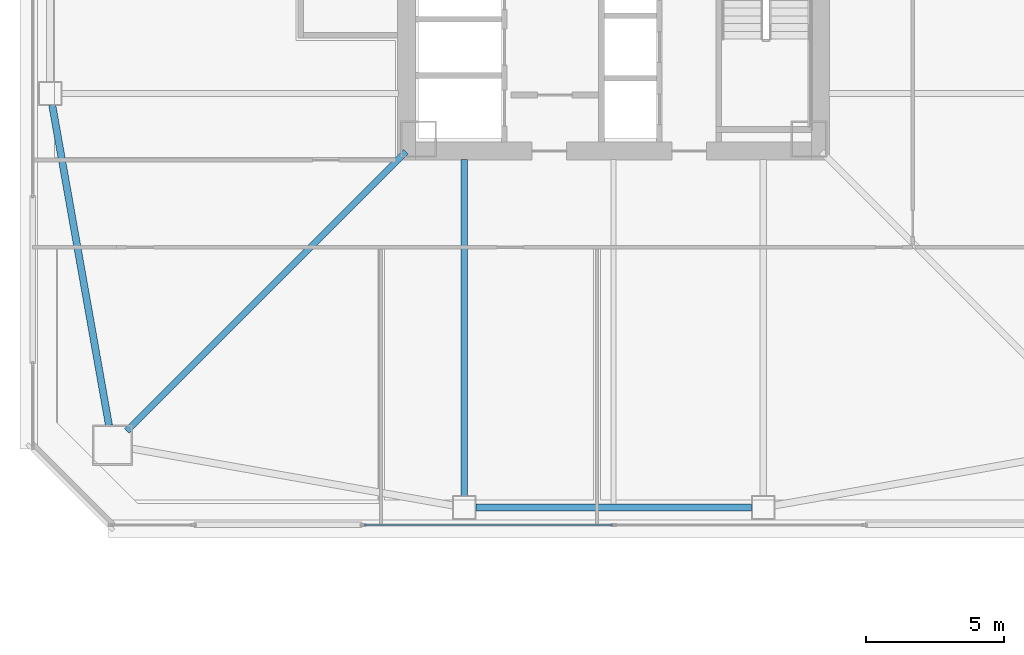
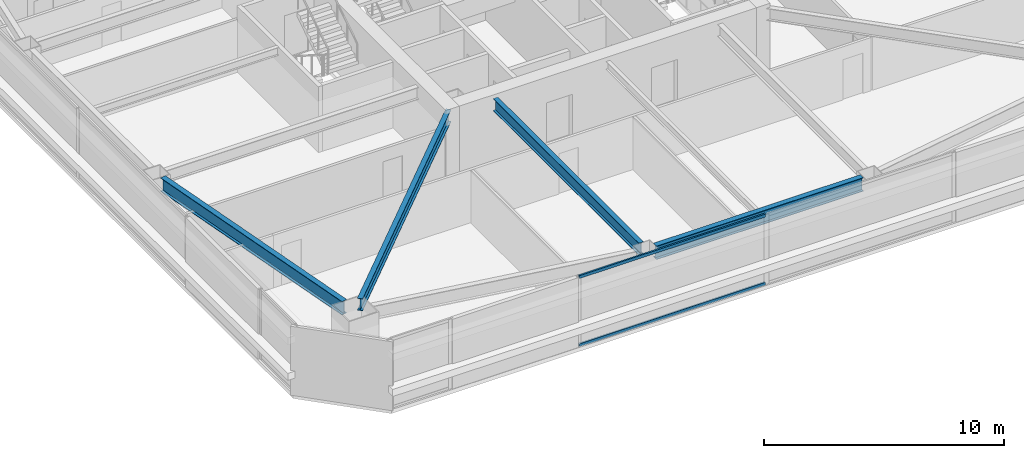
# One storey, part 4 of 48: 4 beams, 2 members, 1 element without a shape of its own.
"""IFC4 building model written with IfcOpenShell, lengths in metres."""

from ifc_helpers import new_model, si_unit, direction, frame, origin, origin_2d, place, context, subcontext, project, spatial, hollow_rectangle, i_section, extrude, material, material_profile, profile_set, type_object, element, aggregate, save


model = new_model("IFC4")

# Units and contexts
model_context = context("Model", 3, precision=1e-05, world=origin(), true_north=direction((0.0, 1.0)))
body_context = subcontext(model_context, "Body", "Model", "MODEL_VIEW")
ifc_project = project(units=[si_unit("LENGTHUNIT", "METRE"), si_unit("AREAUNIT", "SQUARE_METRE"), si_unit("VOLUMEUNIT", "CUBIC_METRE"), si_unit("PLANEANGLEUNIT", "RADIAN"), si_unit("MASSUNIT", "GRAM", prefix="KILO")], contexts=[model_context])

# Site, building, storey
site_placement = place(None, origin())
site = spatial("IfcSite", under=ifc_project, at=site_placement, CompositionType="ELEMENT")
building_placement = place(site_placement, origin())
building = spatial("IfcBuilding", under=site, at=building_placement, Name="Tashvorn Skyway Center", CompositionType="ELEMENT")
storey_placement = place(building_placement, frame((0.0, 0.0, 77.85009765625)))
storey = spatial("IfcBuildingStorey", under=building, at=storey_placement, Name="L20", CompositionType="ELEMENT", Elevation=77.85009765625)

# Beams
ifc_material_1 = material(Name="Steel ASTM A992 Grade 50", Category="steel")
ifc_material_profile_1 = material_profile(ifc_material_1, i_section(OverallWidth=0.22998046875, OverallDepth=0.616943359375, WebThickness=0.01318359375, FlangeThickness=0.022216796875, at=origin_2d()), Name="W24X94")
ifc_profile_set_1 = profile_set([ifc_material_profile_1], Name="Steel ASTM A992 Grade 50")
beam_type_1 = type_object("IfcBeamType", Name="BM-BEAM-W24X94", PredefinedType="BEAM", material=ifc_profile_set_1)
beam_1_placement = place(storey_placement, frame((24.4091796875, 14.4091796875, 3.04150390625), z_axis=(0.707106781187, 0.707106781187, 0.0), x_axis=(-0.707106781187, 0.707106781187, 0.0)))
element("IfcBeam", 1, at=beam_1_placement, inside=storey, type_object=beam_type_1, Name="Tower 1 L20 Primary Floor Girder MC-SW", PredefinedType="BEAM", context=body_context, shape_type="SweptSolid", body=[
    extrude(i_section(OverallWidth=0.22998046875, OverallDepth=0.616943359375, WebThickness=0.01318359375, FlangeThickness=0.022216796875, at=origin_2d()), origin(), (0.0, 0.0, 1.0), 14.261962890625),
])
beam_2_placement = place(storey_placement, frame((36.60009765625, 12.070068359375, 3.04150390625), z_axis=(0.0, 1.0, 0.0), x_axis=(-1.0, 0.0, 0.0)))
element("IfcBeam", 2, at=beam_2_placement, inside=storey, type_object=beam_type_1, Name="Tower 1 L20 Primary Floor Girder FC-S1", PredefinedType="BEAM", context=body_context, shape_type="SweptSolid", body=[
    extrude(i_section(OverallWidth=0.22998046875, OverallDepth=0.616943359375, WebThickness=0.01318359375, FlangeThickness=0.022216796875, at=origin_2d()), origin(), (0.0, 0.0, 1.0), 12.14990234375),
])
ifc_material_profile_2 = material_profile(ifc_material_1, i_section(OverallWidth=0.256103515625, OverallDepth=0.693115234375, WebThickness=0.014404296875, FlangeThickness=0.023681640625, at=origin_2d()), Name="W27X114")
ifc_profile_set_2 = profile_set([ifc_material_profile_2], Name="Steel ASTM A992 Grade 50")
beam_type_2 = type_object("IfcBeamType", Name="BM-SPANDREL-W27X114", PredefinedType="SPANDREL", material=ifc_profile_set_2)
beam_3_placement = place(storey_placement, frame((37.02001953125, 11.64990234375, 3.00341796875), z_axis=(1.0, 0.0, 0.0), x_axis=(0.0, 1.0, 0.0)))
element("IfcBeam", 3, at=beam_3_placement, inside=storey, type_object=beam_type_2, Name="Tower 1 L20 Spandrel Beam 02", PredefinedType="SPANDREL", context=body_context, shape_type="SweptSolid", body=[
    extrude(i_section(OverallWidth=0.256103515625, OverallDepth=0.693115234375, WebThickness=0.014404296875, FlangeThickness=0.023681640625, at=origin_2d()), origin(), (0.0, 0.0, 1.0), 9.9599609375),
])
beam_4_placement = place(storey_placement, frame((21.723388671875, 26.1865234375, 3.00341796875), z_axis=(0.174437966698, -0.98466816531, 0.0), x_axis=(0.98466816531, 0.174437966698, 0.0)))
element("IfcBeam", 4, at=beam_4_placement, inside=storey, type_object=beam_type_2, Name="Tower 1 L20 Spandrel Beam 12", PredefinedType="SPANDREL", context=body_context, shape_type="SweptSolid", body=[
    extrude(i_section(OverallWidth=0.256103515625, OverallDepth=0.693115234375, WebThickness=0.014404296875, FlangeThickness=0.023681640625, at=origin_2d()), origin(), (0.0, 0.0, 1.0), 11.7578125),
])

# Curtain wall, members
ifc_material_2 = material(Name="Thermally broken bronze-anodized aluminium 6063-T6", Category="aluminium")
curtain_wall_type = type_object("IfcCurtainWallType", Name="CW-CW-Z2", PredefinedType="NOTDEFINED", material=ifc_material_2)
curtain_wall_placement = place(storey_placement, origin())
curtain_wall = element("IfcCurtainWall", 5, at=curtain_wall_placement, inside=storey, type_object=curtain_wall_type, Name="Tower 1 L20 South Unitised Curtain Wall Glazing Group 2", PredefinedType="NOTDEFINED")
ifc_material_profile_3 = material_profile(ifc_material_2, hollow_rectangle(XDim=0.080078125, YDim=0.14990234375, WallThickness=0.00439453125, at=origin_2d()), Name="ALU-TRAN-80x150")
ifc_profile_set_3 = profile_set([ifc_material_profile_3], Name="Thermally broken bronze-anodized aluminium 6063-T6")
member_type = type_object("IfcMemberType", Name="CWT-CW-Z2", PredefinedType="USERDEFINED", material=ifc_profile_set_3)
member_1_placement = place(storey_placement, frame((41.9599609375, 11.02001953125, 0.039794921875), z_axis=(-1.0, 0.0, 0.0), x_axis=(0.0, -1.0, 0.0)))
member_1 = element("IfcMember", 6, at=member_1_placement, type_object=member_type, Name="CW-Z2 transom 2.1", ObjectType="TRANSOM", PredefinedType="USERDEFINED", context=body_context, shape_type="SweptSolid", body=[
    extrude(hollow_rectangle(XDim=0.080078125, YDim=0.14990234375, WallThickness=0.00439453125, at=origin_2d()), origin(), (0.0, 0.0, 1.0), 8.969970703125),
])
member_2_placement = place(storey_placement, frame((41.9599609375, 11.02001953125, 3.510009765625), z_axis=(-1.0, 0.0, 0.0), x_axis=(0.0, -1.0, 0.0)))
member_2 = element("IfcMember", 7, at=member_2_placement, type_object=member_type, Name="CW-Z2 transom 2.2", ObjectType="TRANSOM", PredefinedType="USERDEFINED", context=body_context, shape_type="SweptSolid", body=[
    extrude(hollow_rectangle(XDim=0.080078125, YDim=0.14990234375, WallThickness=0.00439453125, at=origin_2d()), origin(), (0.0, 0.0, 1.0), 8.969970703125),
])
aggregate(curtain_wall, [member_1, member_2])

save(model, "model.ifc")
